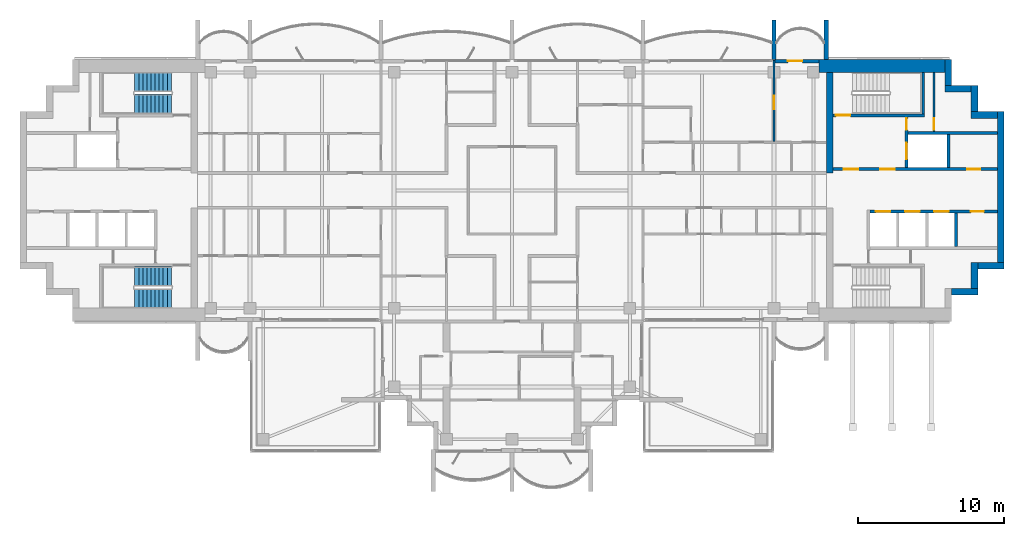
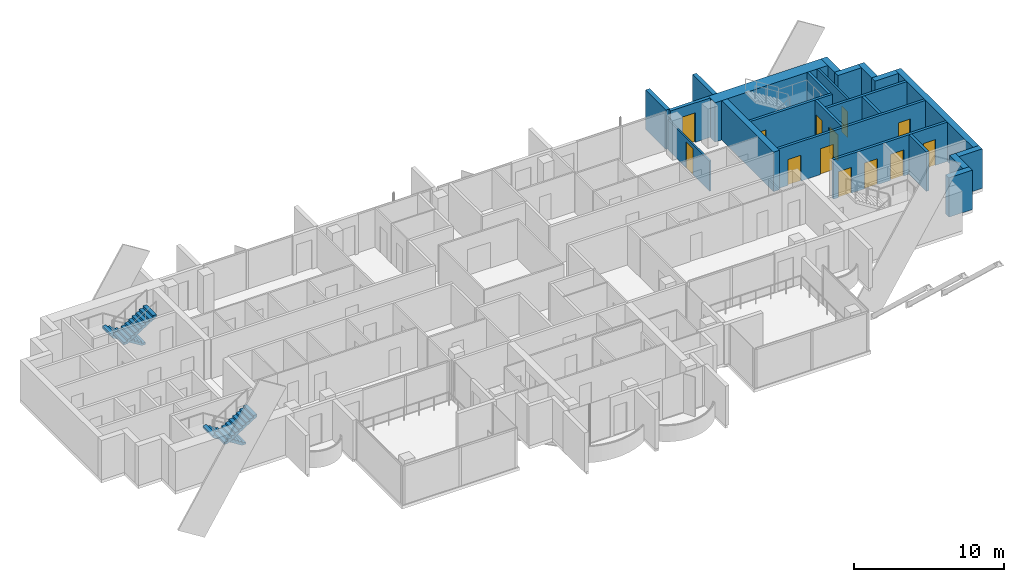
# One storey, part 13 of 18: 23 walls, 13 doors, 4 stair flights, 13 openings, 2 elements without a shape of their own.
"""IFC4 building model written with IfcOpenShell, lengths in metres."""

from ifc_helpers import new_model, si_unit, direction, frame, frame_2d, origin, place, context, subcontext, project, spatial, polyline, rectangle, outline, extrude, material, layer, layer_set, type_object, element, fill, aggregate, save


model = new_model("IFC4")

# Units and contexts
model_context = context("Model", 3, precision=1e-05, world=origin(), true_north=direction((0.0, 1.0)))
body_context = subcontext(model_context, "Body", "Model", "MODEL_VIEW")
ifc_project = project(units=[si_unit("LENGTHUNIT", "METRE"), si_unit("AREAUNIT", "SQUARE_METRE"), si_unit("VOLUMEUNIT", "CUBIC_METRE"), si_unit("PLANEANGLEUNIT", "RADIAN"), si_unit("MASSUNIT", "GRAM", prefix="KILO")], contexts=[model_context])

# Site, building, storey
site_placement = place(None, origin())
site = spatial("IfcSite", under=ifc_project, at=site_placement, CompositionType="ELEMENT")
building_placement = place(site_placement, origin())
building = spatial("IfcBuilding", under=site, at=building_placement, Name="Perihelion Cross Residences", CompositionType="ELEMENT")
storey_placement = place(building_placement, frame((0.0, 0.0, 281.5)))
storey = spatial("IfcBuildingStorey", under=building, at=storey_placement, Name="L72", CompositionType="ELEMENT", Elevation=281.5)

# Wall, opening, door
ifc_material_1 = material(Name="Concrete C30/37, bronze-clad", Category="concrete")
ifc_layer_1 = layer(ifc_material_1, 0.25)
ifc_layer_set_1 = layer_set([ifc_layer_1], Name="Bronze-clad pier wall 250")
wall_type_1 = type_object("IfcWallType", Name="Bronze-clad pier wall 250", PredefinedType="SOLIDWALL", material=ifc_layer_set_1)
wall_1_placement = place(storey_placement, frame((21.10009765625, 8.875, 0.0), z_axis=(0.0, 0.0, 1.0), x_axis=(-1.0, 0.0, 0.0)))
wall_1 = element("IfcWall", 1, at=wall_1_placement, inside=storey, type_object=wall_type_1, Name="Wall FW1 L72 east side north bay 1 pier", PredefinedType="SOLIDWALL", context=body_context, shape_type="SweptSolid", body=[
    extrude(rectangle(XDim=3.0400390625, YDim=0.25, at=frame_2d((1.52001953125, 0.0))), origin(), (0.0, 0.0, 1.0), 3.199951171875),
])
opening_1_placement = place(wall_1_placement, frame((1.14990234375, 0.0, 0.0)))
opening_1 = element("IfcOpeningElement", 2, at=opening_1_placement, cuts=wall_1, Name="Opening L72.E01", PredefinedType="OPENING", context=body_context, shape_type="SweptSolid", body=[
    extrude(rectangle(XDim=1.0, YDim=2.39990234375, at=frame_2d((0.5, 1.199951171875))), frame((0.0, 0.135009765625, 0.0), z_axis=(0.0, -1.0, 0.0), x_axis=(1.0, 0.0, 0.0)), (0.0, 0.0, 1.0), 0.27001953125),
])
ifc_material_2 = material(Name="Bronze anodised aluminium, glazed", Category="aluminium")
door_type_1 = type_object("IfcDoorType", Name="Balcony door 1000 x 2400", OperationType="NOTDEFINED", PredefinedType="DOOR", material=ifc_material_2)
door_1_placement = place(opening_1_placement, origin())
door_1 = element("IfcDoor", 3, at=door_1_placement, inside=storey, type_object=door_type_1, Name="Door L72.E01 east side north bay 1", OperationType="SINGLE_SWING_LEFT", OverallHeight=2.39990234375, OverallWidth=1.0, PredefinedType="DOOR", context=body_context, shape_type="SweptSolid", body=[
    extrude(rectangle(XDim=1.0, YDim=2.39990234375, at=frame_2d((0.5, 1.199951171875))), frame((0.0, 0.02490234375, 0.0), z_axis=(0.0, -1.0, 0.0), x_axis=(1.0, 0.0, 0.0)), (0.0, 0.0, 1.0), 0.050048828125),
])
fill(opening_1, door_1)

# Walls
ifc_material_3 = material(Name="Concrete C60/75", Category="concrete")
ifc_layer_2 = layer(ifc_material_3, 0.449951171875)
ifc_layer_set_2 = layer_set([ifc_layer_2], Name="Core wall, inner 450")
wall_type_2 = type_object("IfcWallType", Name="Core wall, inner 450", PredefinedType="SHEAR", material=ifc_layer_set_2)
wall_2_placement = place(storey_placement, frame((21.824951171875, 1.199951171875, 0.0), z_axis=(0.0, 0.0, 1.0), x_axis=(0.0, 1.0, 0.0)))
element("IfcWall", 4, at=wall_2_placement, inside=storey, type_object=wall_type_2, Name="East core core wall, inner", PredefinedType="SHEAR", context=body_context, shape_type="SweptSolid", body=[
    extrude(rectangle(XDim=6.900146484375, YDim=0.449951171875, at=frame_2d((3.4501953125, 0.0))), origin(), (0.0, 0.0, 1.0), 3.199951171875),
])
ifc_material_4 = material(Name="Concrete C60/75", Category="concrete")
ifc_layer_3 = layer(ifc_material_4, 0.449951171875)
ifc_layer_set_3 = layer_set([ifc_layer_3], Name="Core wall, outer 450")
wall_type_3 = type_object("IfcWallType", Name="Core wall, outer 450", PredefinedType="SHEAR", material=ifc_layer_set_3)
for number, where, z_axis, x_axis, name in (
    (5, (30.199951171875, -6.97509765625, 0.0), (0.0, 0.0, 1.0), (1.0, 0.0, 0.0), "East core core wall, outer"),
    (6, (31.77490234375, -6.75, 0.0), (0.0, 0.0, 1.0), (0.0, 1.0, 0.0), "East core core wall, outer"),
    (7, (32.0, -5.175048828125, 0.0), (0.0, 0.0, 1.0), (1.0, 0.0, 0.0), "East core core wall, outer"),
):
    element("IfcWall", number, at=place(storey_placement, frame(where, z_axis=z_axis, x_axis=x_axis)), inside=storey, type_object=wall_type_3, Name=name, PredefinedType="SHEAR", context=body_context, shape_type="SweptSolid", body=[
        extrude(rectangle(XDim=1.800048828125, YDim=0.449951171875, at=frame_2d((0.89990234375, 0.0))), origin(), (0.0, 0.0, 1.0), 3.199951171875),
    ])
wall_3_placement = place(storey_placement, frame((33.574951171875, -4.949951171875, 0.0), z_axis=(0.0, 0.0, 1.0), x_axis=(0.0, 1.0, 0.0)))
element("IfcWall", 8, at=wall_3_placement, inside=storey, type_object=wall_type_3, Name="East core core wall, outer", PredefinedType="SHEAR", context=body_context, shape_type="SweptSolid", body=[
    extrude(rectangle(XDim=10.349853515625, YDim=0.449951171875, at=frame_2d((5.1748046875, 0.0))), origin(), (0.0, 0.0, 1.0), 3.199951171875),
])
for number, where, z_axis, x_axis, name in (
    (9, (31.550048828125, 5.175048828125, 0.0), (0.0, 0.0, 1.0), (1.0, 0.0, 0.0), "East core core wall, outer"),
    (10, (31.77490234375, 5.39990234375, 0.0), (0.0, 0.0, 1.0), (0.0, 1.0, 0.0), "East core core wall, outer"),
    (11, (29.75, 6.97509765625, 0.0), (0.0, 0.0, 1.0), (1.0, 0.0, 0.0), "East core core wall, outer"),
    (12, (29.97509765625, 7.199951171875, 0.0), (0.0, 0.0, 1.0), (0.0, 1.0, 0.0), "East core core wall, outer"),
):
    element("IfcWall", number, at=place(storey_placement, frame(where, z_axis=z_axis, x_axis=x_axis)), inside=storey, type_object=wall_type_3, Name=name, PredefinedType="SHEAR", context=body_context, shape_type="SweptSolid", body=[
        extrude(rectangle(XDim=1.800048828125, YDim=0.449951171875, at=frame_2d((0.89990234375, 0.0))), origin(), (0.0, 0.0, 1.0), 3.199951171875),
    ])
ifc_material_5 = material(Name="Concrete C60/75", Category="concrete")
ifc_layer_4 = layer(ifc_material_5, 0.89990234375)
ifc_layer_set_4 = layer_set([ifc_layer_4], Name="Core wall, outer 900")
wall_type_4 = type_object("IfcWallType", Name="Core wall, outer 900", PredefinedType="SHEAR", material=ifc_layer_set_4)
wall_4_placement = place(storey_placement, frame((21.10009765625, 8.550048828125, 0.0), z_axis=(0.0, 0.0, 1.0), x_axis=(1.0, 0.0, 0.0)))
element("IfcWall", 13, at=wall_4_placement, inside=storey, type_object=wall_type_4, Name="East core core wall, outer", PredefinedType="SHEAR", context=body_context, shape_type="SweptSolid", body=[
    extrude(rectangle(XDim=8.64990234375, YDim=0.89990234375, at=frame_2d((4.324951171875, 0.0))), origin(), (0.0, 0.0, 1.0), 3.199951171875),
])

# Wall, opening, door
ifc_material_6 = material(Name="Plasterboard partition")
ifc_layer_5 = layer(ifc_material_6, 0.1201171875)
ifc_layer_set_5 = layer_set([ifc_layer_5], Name="Partition wall 120")
wall_type_5 = type_object("IfcWallType", Name="Partition wall 120", PredefinedType="PARTITIONING", material=ifc_layer_set_5)
wall_5_placement = place(storey_placement, frame((18.0, 8.919921875, 0.0), z_axis=(0.0, 0.0, 1.0), x_axis=(0.0, -1.0, 0.0)))
wall_5 = element("IfcWall", 14, at=wall_5_placement, inside=storey, type_object=wall_type_5, Name="Partition L72 W031", PredefinedType="PARTITIONING", context=body_context, shape_type="SweptSolid", body=[
    extrude(rectangle(XDim=5.559814453125, YDim=0.1201171875, at=frame_2d((2.77978515625, 0.0))), origin(), (0.0, 0.0, 1.0), 2.446044921875),
])
opening_2_placement = place(wall_5_placement, frame((2.43994140625, 0.0, 0.0)))
opening_2 = element("IfcOpeningElement", 15, at=opening_2_placement, cuts=wall_5, Name="Opening L72.A08", PredefinedType="OPENING", context=body_context, shape_type="SweptSolid", body=[
    extrude(rectangle(XDim=0.89990234375, YDim=2.10009765625, at=frame_2d((0.449951171875, 1.050048828125))), frame((0.0, 0.070068359375, 0.0), z_axis=(0.0, -1.0, 0.0), x_axis=(1.0, 0.0, 0.0)), (0.0, 0.0, 1.0), 0.14013671875),
])
ifc_material_7 = material(Name="Timber door leaf", Category="wood")
door_type_2 = type_object("IfcDoorType", Name="Interior room door 900 x 2100", OperationType="SINGLE_SWING_LEFT", PredefinedType="DOOR", material=ifc_material_7)
door_2_placement = place(opening_2_placement, origin())
door_2 = element("IfcDoor", 16, at=door_2_placement, inside=storey, type_object=door_type_2, Name="Door L72.A08", OperationType="SINGLE_SWING_LEFT", OverallHeight=2.10009765625, OverallWidth=0.89990234375, PredefinedType="DOOR", context=body_context, shape_type="SweptSolid", body=[
    extrude(rectangle(XDim=0.89990234375, YDim=2.10009765625, at=frame_2d((0.449951171875, 1.050048828125))), frame((0.0, 0.02490234375, 0.0), z_axis=(0.0, -1.0, 0.0), x_axis=(1.0, 0.0, 0.0)), (0.0, 0.0, 1.0), 0.050048828125),
])
fill(opening_2, door_2)

# Walls
ifc_material_8 = material(Name="Precast concrete C50/60", Category="concrete")
ifc_layer_6 = layer(ifc_material_8, 0.300048828125)
ifc_layer_set_6 = layer_set([ifc_layer_6], Name="Precast concrete C50/60 blade wall 300")
wall_type_6 = type_object("IfcWallType", Name="Precast concrete C50/60 blade wall 300", PredefinedType="SOLIDWALL", material=ifc_layer_set_6)
for number, where, z_axis, x_axis, name in (
    (17, (18.0, 9.0, 0.0), (0.0, 0.0, 1.0), (0.0, 1.0, 0.0), "Wall BL1 L72 no. 11"),
    (18, (21.60009765625, 9.0, 0.0), (0.0, 0.0, 1.0), (0.0, 1.0, 0.0), "Wall BL1 L72 no. 13"),
):
    element("IfcWall", number, at=place(storey_placement, frame(where, z_axis=z_axis, x_axis=x_axis)), inside=storey, type_object=wall_type_6, Name=name, PredefinedType="SOLIDWALL", context=body_context, shape_type="SweptSolid", body=[
        extrude(rectangle(XDim=2.699951171875, YDim=0.300048828125, at=frame_2d((1.35009765625, 0.0))), origin(), (0.0, 0.0, 1.0), 3.199951171875),
    ])

# Wall, opening, door
ifc_material_9 = material(Name="Fire-rated board on steel stud", Category="steel")
ifc_layer_7 = layer(ifc_material_9, 0.14990234375)
ifc_layer_set_7 = layer_set([ifc_layer_7], Name="Riser wall 150")
wall_type_7 = type_object("IfcWallType", Name="Riser wall 150", PredefinedType="PARTITIONING", material=ifc_layer_set_7)
wall_6_placement = place(storey_placement, frame((29.0, 4.050048828125, 0.0), z_axis=(0.0, 0.0, 1.0), x_axis=(0.0, 1.0, 0.0)))
wall_6 = element("IfcWall", 19, at=wall_6_placement, inside=storey, type_object=wall_type_7, Name="East core riser wall", PredefinedType="PARTITIONING", context=body_context, shape_type="SweptSolid", body=[
    extrude(rectangle(XDim=4.050048828125, YDim=0.14990234375, at=frame_2d((2.02490234375, 0.0))), origin(), (0.0, 0.0, 1.0), 3.199951171875),
])
opening_3_placement = place(wall_6_placement, frame((0.10009765625, 0.0, 0.0)))
opening_3 = element("IfcOpeningElement", 20, at=opening_3_placement, cuts=wall_6, Name="Opening L72.C12", PredefinedType="OPENING", context=body_context, shape_type="SweptSolid", body=[
    extrude(rectangle(XDim=0.800048828125, YDim=2.10009765625, at=frame_2d((0.39990234375, 1.050048828125))), frame((0.0, 0.0849609375, 0.0), z_axis=(0.0, -1.0, 0.0), x_axis=(1.0, 0.0, 0.0)), (0.0, 0.0, 1.0), 0.169921875),
])
ifc_material_10 = material(Name="Steel, powder coated", Category="steel")
door_type_3 = type_object("IfcDoorType", Name="Riser door 800", OperationType="SINGLE_SWING_LEFT", PredefinedType="DOOR", material=ifc_material_10)
door_3_placement = place(opening_3_placement, origin())
door_3 = element("IfcDoor", 21, at=door_3_placement, inside=storey, type_object=door_type_3, Name="East core riser door", OperationType="SINGLE_SWING_LEFT", OverallHeight=2.10009765625, OverallWidth=0.800048828125, PredefinedType="DOOR", context=body_context, shape_type="SweptSolid", body=[
    extrude(rectangle(XDim=0.800048828125, YDim=2.10009765625, at=frame_2d((0.39990234375, 1.050048828125))), frame((0.0, 0.02490234375, 0.0), z_axis=(0.0, -1.0, 0.0), x_axis=(1.0, 0.0, 0.0)), (0.0, 0.0, 1.0), 0.050048828125),
])
fill(opening_3, door_3)

# Wall, openings, doors
ifc_material_11 = material(Name="Concrete C50/60", Category="concrete")
ifc_layer_8 = layer(ifc_material_11, 0.199951171875)
ifc_layer_set_8 = layer_set([ifc_layer_8], Name="Shaft wall 200")
wall_type_8 = type_object("IfcWallType", Name="Shaft wall 200", PredefinedType="SOLIDWALL", material=ifc_layer_set_8)
wall_7_placement = place(storey_placement, frame((22.050048828125, 1.449951171875, 0.0), z_axis=(0.0, 0.0, 1.0), x_axis=(1.0, 0.0, 0.0)))
wall_7 = element("IfcWall", 22, at=wall_7_placement, inside=storey, type_object=wall_type_8, Name="East core shaft wall", PredefinedType="SOLIDWALL", context=body_context, shape_type="SweptSolid", body=[
    extrude(rectangle(XDim=11.300048828125, YDim=0.199951171875, at=frame_2d((5.64990234375, 0.0))), origin(), (0.0, 0.0, 1.0), 3.199951171875),
])
opening_4_placement = place(wall_7_placement, frame((0.75, 0.0, 0.0)))
opening_4 = element("IfcOpeningElement", 23, at=opening_4_placement, cuts=wall_7, Name="Opening L72.C07", PredefinedType="OPENING", context=body_context, shape_type="SweptSolid", body=[
    extrude(rectangle(XDim=1.0, YDim=2.10009765625, at=frame_2d((0.5, 1.050048828125))), frame((0.0, 0.10986328125, 0.0), z_axis=(0.0, -1.0, 0.0), x_axis=(1.0, 0.0, 0.0)), (0.0, 0.0, 1.0), 0.219970703125),
])
opening_5_placement = place(wall_7_placement, frame((3.25, 0.0, 0.0)))
opening_5 = element("IfcOpeningElement", 24, at=opening_5_placement, cuts=wall_7, Name="Opening L72.C09", PredefinedType="OPENING", context=body_context, shape_type="SweptSolid", body=[
    extrude(rectangle(XDim=1.0, YDim=2.10009765625, at=frame_2d((0.5, 1.050048828125))), frame((0.0, 0.10986328125, 0.0), z_axis=(0.0, -1.0, 0.0), x_axis=(1.0, 0.0, 0.0)), (0.0, 0.0, 1.0), 0.219970703125),
])
opening_6_placement = place(wall_7_placement, frame((9.22509765625, 0.0, 0.0)))
opening_6 = element("IfcOpeningElement", 25, at=opening_6_placement, cuts=wall_7, Name="Opening L72.C13", PredefinedType="OPENING", context=body_context, shape_type="SweptSolid", body=[
    extrude(rectangle(XDim=0.89990234375, YDim=2.10009765625, at=frame_2d((0.449951171875, 1.050048828125))), frame((0.0, 0.10986328125, 0.0), z_axis=(0.0, -1.0, 0.0), x_axis=(1.0, 0.0, 0.0)), (0.0, 0.0, 1.0), 0.219970703125),
])
ifc_material_12 = material(Name="Steel, powder coated", Category="steel")
door_type_4 = type_object("IfcDoorType", Name="Lobby door 1000", OperationType="SINGLE_SWING_LEFT", PredefinedType="DOOR", material=ifc_material_12)
door_4_placement = place(opening_4_placement, origin())
door_4 = element("IfcDoor", 26, at=door_4_placement, inside=storey, type_object=door_type_4, Name="East core firefighting lobby door", OperationType="SINGLE_SWING_LEFT", OverallHeight=2.10009765625, OverallWidth=1.0, PredefinedType="DOOR", context=body_context, shape_type="SweptSolid", body=[
    extrude(rectangle(XDim=1.0, YDim=2.10009765625, at=frame_2d((0.5, 1.050048828125))), frame((0.0, 0.02490234375, 0.0), z_axis=(0.0, -1.0, 0.0), x_axis=(1.0, 0.0, 0.0)), (0.0, 0.0, 1.0), 0.050048828125),
])
fill(opening_4, door_4)
door_5_placement = place(opening_5_placement, origin())
door_5 = element("IfcDoor", 27, at=door_5_placement, inside=storey, type_object=door_type_4, Name="East core firefighting lobby door", OperationType="SINGLE_SWING_LEFT", OverallHeight=2.10009765625, OverallWidth=1.0, PredefinedType="DOOR", context=body_context, shape_type="SweptSolid", body=[
    extrude(rectangle(XDim=1.0, YDim=2.10009765625, at=frame_2d((0.5, 1.050048828125))), frame((0.0, 0.02490234375, 0.0), z_axis=(0.0, -1.0, 0.0), x_axis=(1.0, 0.0, 0.0)), (0.0, 0.0, 1.0), 0.050048828125),
])
fill(opening_5, door_5)
ifc_material_13 = material(Name="Steel, powder coated", Category="steel")
door_type_5 = type_object("IfcDoorType", Name="Service room door 900", OperationType="SINGLE_SWING_LEFT", PredefinedType="DOOR", material=ifc_material_13)
door_6_placement = place(opening_6_placement, origin())
door_6 = element("IfcDoor", 28, at=door_6_placement, inside=storey, type_object=door_type_5, Name="East core service room door", OperationType="SINGLE_SWING_LEFT", OverallHeight=2.10009765625, OverallWidth=0.89990234375, PredefinedType="DOOR", context=body_context, shape_type="SweptSolid", body=[
    extrude(rectangle(XDim=0.89990234375, YDim=2.10009765625, at=frame_2d((0.449951171875, 1.050048828125))), frame((0.0, 0.02490234375, 0.0), z_axis=(0.0, -1.0, 0.0), x_axis=(1.0, 0.0, 0.0)), (0.0, 0.0, 1.0), 0.050048828125),
])
fill(opening_6, door_6)

wall_8_placement = place(storey_placement, frame((24.60009765625, -1.449951171875, 0.0), z_axis=(0.0, 0.0, 1.0), x_axis=(1.0, 0.0, 0.0)))
wall_8 = element("IfcWall", 29, at=wall_8_placement, inside=storey, type_object=wall_type_8, Name="East core shaft wall", PredefinedType="SOLIDWALL", context=body_context, shape_type="SweptSolid", body=[
    extrude(rectangle(XDim=8.75, YDim=0.199951171875, at=frame_2d((4.375, 0.0))), origin(), (0.0, 0.0, 1.0), 3.199951171875),
])
opening_7_placement = place(wall_8_placement, frame((0.39990234375, 0.0, 0.0)))
opening_7 = element("IfcOpeningElement", 30, at=opening_7_placement, cuts=wall_8, Name="Opening L72.C01", PredefinedType="OPENING", context=body_context, shape_type="SweptSolid", body=[
    extrude(rectangle(XDim=1.0, YDim=2.10009765625, at=frame_2d((0.5, 1.050048828125))), frame((0.0, 0.10986328125, 0.0), z_axis=(0.0, -1.0, 0.0), x_axis=(1.0, 0.0, 0.0)), (0.0, 0.0, 1.0), 0.219970703125),
])
opening_8_placement = place(wall_8_placement, frame((2.39990234375, 0.0, 0.0)))
opening_8 = element("IfcOpeningElement", 31, at=opening_8_placement, cuts=wall_8, Name="Opening L72.C03", PredefinedType="OPENING", context=body_context, shape_type="SweptSolid", body=[
    extrude(rectangle(XDim=1.0, YDim=2.10009765625, at=frame_2d((0.5, 1.050048828125))), frame((0.0, 0.10986328125, 0.0), z_axis=(0.0, -1.0, 0.0), x_axis=(1.0, 0.0, 0.0)), (0.0, 0.0, 1.0), 0.219970703125),
])
opening_9_placement = place(wall_8_placement, frame((4.39990234375, 0.0, 0.0)))
opening_9 = element("IfcOpeningElement", 32, at=opening_9_placement, cuts=wall_8, Name="Opening L72.C04", PredefinedType="OPENING", context=body_context, shape_type="SweptSolid", body=[
    extrude(rectangle(XDim=1.0, YDim=2.10009765625, at=frame_2d((0.5, 1.050048828125))), frame((0.0, 0.10986328125, 0.0), z_axis=(0.0, -1.0, 0.0), x_axis=(1.0, 0.0, 0.0)), (0.0, 0.0, 1.0), 0.219970703125),
])
opening_10_placement = place(wall_8_placement, frame((6.925048828125, 0.0, 0.0)))
opening_10 = element("IfcOpeningElement", 33, at=opening_10_placement, cuts=wall_8, Name="Opening L72.C14", PredefinedType="OPENING", context=body_context, shape_type="SweptSolid", body=[
    extrude(rectangle(XDim=0.89990234375, YDim=2.10009765625, at=frame_2d((0.449951171875, 1.050048828125))), frame((0.0, 0.10986328125, 0.0), z_axis=(0.0, -1.0, 0.0), x_axis=(1.0, 0.0, 0.0)), (0.0, 0.0, 1.0), 0.219970703125),
])
ifc_material_14 = material(Name="Stainless steel", Category="steel")
door_type_6 = type_object("IfcDoorType", Name="Landing door 1000", OperationType="DOUBLE_DOOR_SLIDING", PredefinedType="DOOR", material=ifc_material_14)
door_7_placement = place(opening_7_placement, origin())
door_7 = element("IfcDoor", 34, at=door_7_placement, inside=storey, type_object=door_type_6, Name="Landing door, East core high-rise lift 1", OperationType="DOUBLE_DOOR_SLIDING", OverallHeight=2.10009765625, OverallWidth=1.0, PredefinedType="DOOR", context=body_context, shape_type="SweptSolid", body=[
    extrude(rectangle(XDim=1.0, YDim=2.10009765625, at=frame_2d((0.5, 1.050048828125))), frame((0.0, 0.02490234375, 0.0), z_axis=(0.0, -1.0, 0.0), x_axis=(1.0, 0.0, 0.0)), (0.0, 0.0, 1.0), 0.050048828125),
])
fill(opening_7, door_7)
door_8_placement = place(opening_8_placement, origin())
door_8 = element("IfcDoor", 35, at=door_8_placement, inside=storey, type_object=door_type_6, Name="Landing door, East core high-rise lift 2", OperationType="DOUBLE_DOOR_SLIDING", OverallHeight=2.10009765625, OverallWidth=1.0, PredefinedType="DOOR", context=body_context, shape_type="SweptSolid", body=[
    extrude(rectangle(XDim=1.0, YDim=2.10009765625, at=frame_2d((0.5, 1.050048828125))), frame((0.0, 0.02490234375, 0.0), z_axis=(0.0, -1.0, 0.0), x_axis=(1.0, 0.0, 0.0)), (0.0, 0.0, 1.0), 0.050048828125),
])
fill(opening_8, door_8)
door_9_placement = place(opening_9_placement, origin())
door_9 = element("IfcDoor", 36, at=door_9_placement, inside=storey, type_object=door_type_6, Name="Landing door, East core high-rise lift 3", OperationType="DOUBLE_DOOR_SLIDING", OverallHeight=2.10009765625, OverallWidth=1.0, PredefinedType="DOOR", context=body_context, shape_type="SweptSolid", body=[
    extrude(rectangle(XDim=1.0, YDim=2.10009765625, at=frame_2d((0.5, 1.050048828125))), frame((0.0, 0.02490234375, 0.0), z_axis=(0.0, -1.0, 0.0), x_axis=(1.0, 0.0, 0.0)), (0.0, 0.0, 1.0), 0.050048828125),
])
fill(opening_9, door_9)
door_10_placement = place(opening_10_placement, origin())
door_10 = element("IfcDoor", 37, at=door_10_placement, inside=storey, type_object=door_type_5, Name="East core service room door", OperationType="SINGLE_SWING_LEFT", OverallHeight=2.10009765625, OverallWidth=0.89990234375, PredefinedType="DOOR", context=body_context, shape_type="SweptSolid", body=[
    extrude(rectangle(XDim=0.89990234375, YDim=2.10009765625, at=frame_2d((0.449951171875, 1.050048828125))), frame((0.0, 0.02490234375, 0.0), z_axis=(0.0, -1.0, 0.0), x_axis=(1.0, 0.0, 0.0)), (0.0, 0.0, 1.0), 0.050048828125),
])
fill(opening_10, door_10)

# Wall
wall_9_placement = place(storey_placement, frame((27.199951171875, 3.949951171875, 0.0), z_axis=(0.0, 0.0, 1.0), x_axis=(1.0, 0.0, 0.0)))
element("IfcWall", 38, at=wall_9_placement, inside=storey, type_object=wall_type_8, Name="East core shaft wall", PredefinedType="SOLIDWALL", context=body_context, shape_type="SweptSolid", body=[
    extrude(rectangle(XDim=6.150146484375, YDim=0.199951171875, at=frame_2d((3.0751953125, 0.0))), origin(), (0.0, 0.0, 1.0), 3.199951171875),
])

# Wall, openings, doors
wall_10_placement = place(storey_placement, frame((27.10009765625, 1.550048828125, 0.0), z_axis=(0.0, 0.0, 1.0), x_axis=(0.0, 1.0, 0.0)))
wall_10 = element("IfcWall", 39, at=wall_10_placement, inside=storey, type_object=wall_type_8, Name="East core shaft wall", PredefinedType="SOLIDWALL", context=body_context, shape_type="SweptSolid", body=[
    extrude(rectangle(XDim=3.5, YDim=0.199951171875, at=frame_2d((1.75, 0.0))), origin(), (0.0, 0.0, 1.0), 3.199951171875),
])
opening_11_placement = place(wall_10_placement, frame((0.60009765625, 0.0, 0.0)))
opening_11 = element("IfcOpeningElement", 40, at=opening_11_placement, cuts=wall_10, Name="Opening L72.C02", PredefinedType="OPENING", context=body_context, shape_type="SweptSolid", body=[
    extrude(rectangle(XDim=1.10009765625, YDim=2.10009765625, at=frame_2d((0.550048828125, 1.050048828125))), frame((0.0, 0.10986328125, 0.0), z_axis=(0.0, -1.0, 0.0), x_axis=(1.0, 0.0, 0.0)), (0.0, 0.0, 1.0), 0.219970703125),
])
opening_12_placement = place(wall_10_placement, frame((2.60009765625, 0.0, 0.0)))
opening_12 = element("IfcOpeningElement", 41, at=opening_12_placement, cuts=wall_10, Name="Opening L72.C10", PredefinedType="OPENING", context=body_context, shape_type="SweptSolid", body=[
    extrude(rectangle(XDim=0.800048828125, YDim=2.10009765625, at=frame_2d((0.39990234375, 1.050048828125))), frame((0.0, 0.10986328125, 0.0), z_axis=(0.0, -1.0, 0.0), x_axis=(1.0, 0.0, 0.0)), (0.0, 0.0, 1.0), 0.219970703125),
])
ifc_material_15 = material(Name="Stainless steel", Category="steel")
door_type_7 = type_object("IfcDoorType", Name="Landing door, firefighting lift 1100", OperationType="DOUBLE_DOOR_SLIDING", PredefinedType="DOOR", material=ifc_material_15)
door_11_placement = place(opening_11_placement, origin())
door_11 = element("IfcDoor", 42, at=door_11_placement, inside=storey, type_object=door_type_7, Name="Landing door, East core firefighting and service lift", OperationType="DOUBLE_DOOR_SLIDING", OverallHeight=2.10009765625, OverallWidth=1.10009765625, PredefinedType="DOOR", context=body_context, shape_type="SweptSolid", body=[
    extrude(rectangle(XDim=1.10009765625, YDim=2.10009765625, at=frame_2d((0.550048828125, 1.050048828125))), frame((0.0, 0.02490234375, 0.0), z_axis=(0.0, -1.0, 0.0), x_axis=(1.0, 0.0, 0.0)), (0.0, 0.0, 1.0), 0.050048828125),
])
fill(opening_11, door_11)
door_12_placement = place(opening_12_placement, origin())
door_12 = element("IfcDoor", 43, at=door_12_placement, inside=storey, type_object=door_type_3, Name="East core riser door", OperationType="SINGLE_SWING_LEFT", OverallHeight=2.10009765625, OverallWidth=0.800048828125, PredefinedType="DOOR", context=body_context, shape_type="SweptSolid", body=[
    extrude(rectangle(XDim=0.800048828125, YDim=2.10009765625, at=frame_2d((0.39990234375, 1.050048828125))), frame((0.0, 0.02490234375, 0.0), z_axis=(0.0, -1.0, 0.0), x_axis=(1.0, 0.0, 0.0)), (0.0, 0.0, 1.0), 0.050048828125),
])
fill(opening_12, door_12)

# Walls
for number, where, z_axis, x_axis, name in (
    (44, (30.0, 1.550048828125, 0.0), (0.0, 0.0, 1.0), (0.0, 1.0, 0.0), "East core shaft wall"),
    (45, (30.5, -3.85009765625, 0.0), (0.0, 0.0, 1.0), (0.0, 1.0, 0.0), "East core shaft wall"),
):
    element("IfcWall", number, at=place(storey_placement, frame(where, z_axis=z_axis, x_axis=x_axis)), inside=storey, type_object=wall_type_8, Name=name, PredefinedType="SOLIDWALL", context=body_context, shape_type="SweptSolid", body=[
        extrude(rectangle(XDim=2.300048828125, YDim=0.199951171875, at=frame_2d((1.14990234375, 0.0))), origin(), (0.0, 0.0, 1.0), 3.199951171875),
    ])

# Wall, opening, door
ifc_material_16 = material(Name="Concrete C50/60", Category="concrete")
ifc_layer_9 = layer(ifc_material_16, 0.199951171875)
ifc_layer_set_9 = layer_set([ifc_layer_9], Name="Stair wall 200")
wall_type_9 = type_object("IfcWallType", Name="Stair wall 200", PredefinedType="SOLIDWALL", material=ifc_layer_set_9)
wall_11_placement = place(storey_placement, frame((22.050048828125, 5.14990234375, 0.0), z_axis=(0.0, 0.0, 1.0), x_axis=(1.0, 0.0, 0.0)))
wall_11 = element("IfcWall", 46, at=wall_11_placement, inside=storey, type_object=wall_type_9, Name="East core stair wall", PredefinedType="SOLIDWALL", context=body_context, shape_type="SweptSolid", body=[
    extrude(rectangle(XDim=6.300048828125, YDim=0.199951171875, at=frame_2d((3.14990234375, 0.0))), origin(), (0.0, 0.0, 1.0), 3.199951171875),
])
opening_13_placement = place(wall_11_placement, frame((0.199951171875, 0.0, 0.0)))
opening_13 = element("IfcOpeningElement", 47, at=opening_13_placement, cuts=wall_11, Name="Opening L72.C06", PredefinedType="OPENING", context=body_context, shape_type="SweptSolid", body=[
    extrude(rectangle(XDim=1.0, YDim=2.10009765625, at=frame_2d((0.5, 1.050048828125))), frame((0.0, 0.10986328125, 0.0), z_axis=(0.0, -1.0, 0.0), x_axis=(1.0, 0.0, 0.0)), (0.0, 0.0, 1.0), 0.219970703125),
])
ifc_material_17 = material(Name="Steel, powder coated", Category="steel")
door_type_8 = type_object("IfcDoorType", Name="Stair door 1000", OperationType="SINGLE_SWING_LEFT", PredefinedType="DOOR", material=ifc_material_17)
door_13_placement = place(opening_13_placement, origin())
door_13 = element("IfcDoor", 48, at=door_13_placement, inside=storey, type_object=door_type_8, Name="East core stair door", OperationType="SINGLE_SWING_LEFT", OverallHeight=2.10009765625, OverallWidth=1.0, PredefinedType="DOOR", context=body_context, shape_type="SweptSolid", body=[
    extrude(rectangle(XDim=1.0, YDim=2.10009765625, at=frame_2d((0.5, 1.050048828125))), frame((0.0, 0.02490234375, 0.0), z_axis=(0.0, -1.0, 0.0), x_axis=(1.0, 0.0, 0.0)), (0.0, 0.0, 1.0), 0.050048828125),
])
fill(opening_13, door_13)

# Wall
wall_12_placement = place(storey_placement, frame((28.25, 5.25, 0.0), z_axis=(0.0, 0.0, 1.0), x_axis=(0.0, 1.0, 0.0)))
element("IfcWall", 49, at=wall_12_placement, inside=storey, type_object=wall_type_9, Name="East core stair wall", PredefinedType="SOLIDWALL", context=body_context, shape_type="SweptSolid", body=[
    extrude(rectangle(XDim=2.85009765625, YDim=0.199951171875, at=frame_2d((1.425048828125, 0.0))), origin(), (0.0, 0.0, 1.0), 3.199951171875),
])

# Stair, stair flights
ifc_material_18 = material(Name="Concrete C40/50", Category="concrete")
stair_type = type_object("IfcStairType", Name="Exit stair, half-turn", PredefinedType="HALF_TURN_STAIR", material=ifc_material_18)
stair_1_placement = place(storey_placement, origin())
stair_1 = element("IfcStair", 50, at=stair_1_placement, inside=storey, type_object=stair_type, Name="L72 West core exit stair 1", PredefinedType="HALF_TURN_STAIR")
ifc_material_19 = material(Name="Concrete C40/50", Category="concrete")
stair_flight_type = type_object("IfcStairFlightType", Name="Exit stair flight", PredefinedType="STRAIGHT", material=ifc_material_19)
stair_flight_1_placement = place(storey_placement, frame((-23.39990234375, 7.425048828125, 0.0), z_axis=(0.0, 0.0, 1.0), x_axis=(-1.0, 0.0, 0.0)))
stair_flight_1 = element("IfcStairFlight", 51, at=stair_flight_1_placement, type_object=stair_flight_type, Name="ST-W1 flight 1", NumberOfRisers=10, NumberOfTreads=9, PredefinedType="STRAIGHT", RiserHeight=0.175, TreadLength=0.28, context=body_context, shape_type="SweptSolid", body=[
    extrude(outline(polyline([(0.0, 0.0), (0.0, 0.175048828125), (0.280029296875, 0.175048828125), (0.280029296875, 0.35009765625), (0.56005859375, 0.35009765625), (0.56005859375, 0.52490234375), (0.840087890625, 0.52490234375), (0.840087890625, 0.699951171875), (1.1201171875, 0.699951171875), (1.1201171875, 0.875), (1.39990234375, 0.875), (1.39990234375, 1.050048828125), (1.679931640625, 1.050048828125), (1.679931640625, 1.22509765625), (1.9599609375, 1.22509765625), (1.9599609375, 1.39990234375), (2.239990234375, 1.39990234375), (2.239990234375, 1.574951171875), (2.52001953125, 1.574951171875), (2.52001953125, 1.75), (2.52001953125, 1.398193359375), (0.28271484375, 0.0), (0.0, 0.0)])), frame((0.0, 0.675048828125, 0.0), z_axis=(0.0, -1.0, 0.0), x_axis=(1.0, 0.0, 0.0)), (0.0, 0.0, 1.0), 1.35009765625),
])
stair_flight_2_placement = place(storey_placement, frame((-25.919921875, 5.925048828125, 1.75), z_axis=(0.0, 0.0, 1.0), x_axis=(1.0, 0.0, 0.0)))
stair_flight_2 = element("IfcStairFlight", 52, at=stair_flight_2_placement, type_object=stair_flight_type, Name="ST-W1 flight 2", NumberOfRisers=10, NumberOfTreads=9, PredefinedType="STRAIGHT", RiserHeight=0.175, TreadLength=0.28, context=body_context, shape_type="SweptSolid", body=[
    extrude(outline(polyline([(0.0, 0.0), (0.0, 0.175048828125), (0.280029296875, 0.175048828125), (0.280029296875, 0.35009765625), (0.56005859375, 0.35009765625), (0.56005859375, 0.52490234375), (0.840087890625, 0.52490234375), (0.840087890625, 0.699951171875), (1.1201171875, 0.699951171875), (1.1201171875, 0.875), (1.39990234375, 0.875), (1.39990234375, 1.050048828125), (1.679931640625, 1.050048828125), (1.679931640625, 1.22509765625), (1.9599609375, 1.22509765625), (1.9599609375, 1.39990234375), (2.239990234375, 1.39990234375), (2.239990234375, 1.574951171875), (2.52001953125, 1.574951171875), (2.52001953125, 1.75), (2.52001953125, 1.398193359375), (0.28271484375, 0.0), (0.0, 0.0)])), frame((0.0, 0.675048828125, 0.0), z_axis=(0.0, -1.0, 0.0), x_axis=(1.0, 0.0, 0.0)), (0.0, 0.0, 1.0), 1.35009765625),
])
aggregate(stair_1, [stair_flight_1, stair_flight_2])

stair_2_placement = place(storey_placement, origin())
stair_2 = element("IfcStair", 53, at=stair_2_placement, inside=storey, type_object=stair_type, Name="L72 West core exit stair 2", PredefinedType="HALF_TURN_STAIR")
stair_flight_3_placement = place(storey_placement, frame((-23.39990234375, -5.925048828125, 0.0), z_axis=(0.0, 0.0, 1.0), x_axis=(-1.0, 0.0, 0.0)))
stair_flight_3 = element("IfcStairFlight", 54, at=stair_flight_3_placement, type_object=stair_flight_type, Name="ST-W2 flight 1", NumberOfRisers=10, NumberOfTreads=9, PredefinedType="STRAIGHT", RiserHeight=0.175, TreadLength=0.28, context=body_context, shape_type="SweptSolid", body=[
    extrude(outline(polyline([(0.0, 0.0), (0.0, 0.175048828125), (0.280029296875, 0.175048828125), (0.280029296875, 0.35009765625), (0.56005859375, 0.35009765625), (0.56005859375, 0.52490234375), (0.840087890625, 0.52490234375), (0.840087890625, 0.699951171875), (1.1201171875, 0.699951171875), (1.1201171875, 0.875), (1.39990234375, 0.875), (1.39990234375, 1.050048828125), (1.679931640625, 1.050048828125), (1.679931640625, 1.22509765625), (1.9599609375, 1.22509765625), (1.9599609375, 1.39990234375), (2.239990234375, 1.39990234375), (2.239990234375, 1.574951171875), (2.52001953125, 1.574951171875), (2.52001953125, 1.75), (2.52001953125, 1.398193359375), (0.28271484375, 0.0), (0.0, 0.0)])), frame((0.0, 0.675048828125, 0.0), z_axis=(0.0, -1.0, 0.0), x_axis=(1.0, 0.0, 0.0)), (0.0, 0.0, 1.0), 1.35009765625),
])
stair_flight_4_placement = place(storey_placement, frame((-25.919921875, -7.425048828125, 1.75), z_axis=(0.0, 0.0, 1.0), x_axis=(1.0, 0.0, 0.0)))
stair_flight_4 = element("IfcStairFlight", 55, at=stair_flight_4_placement, type_object=stair_flight_type, Name="ST-W2 flight 2", NumberOfRisers=10, NumberOfTreads=9, PredefinedType="STRAIGHT", RiserHeight=0.175, TreadLength=0.28, context=body_context, shape_type="SweptSolid", body=[
    extrude(outline(polyline([(0.0, 0.0), (0.0, 0.175048828125), (0.280029296875, 0.175048828125), (0.280029296875, 0.35009765625), (0.56005859375, 0.35009765625), (0.56005859375, 0.52490234375), (0.840087890625, 0.52490234375), (0.840087890625, 0.699951171875), (1.1201171875, 0.699951171875), (1.1201171875, 0.875), (1.39990234375, 0.875), (1.39990234375, 1.050048828125), (1.679931640625, 1.050048828125), (1.679931640625, 1.22509765625), (1.9599609375, 1.22509765625), (1.9599609375, 1.39990234375), (2.239990234375, 1.39990234375), (2.239990234375, 1.574951171875), (2.52001953125, 1.574951171875), (2.52001953125, 1.75), (2.52001953125, 1.398193359375), (0.28271484375, 0.0), (0.0, 0.0)])), frame((0.0, 0.675048828125, 0.0), z_axis=(0.0, -1.0, 0.0), x_axis=(1.0, 0.0, 0.0)), (0.0, 0.0, 1.0), 1.35009765625),
])
aggregate(stair_2, [stair_flight_3, stair_flight_4])

save(model, "model.ifc")
